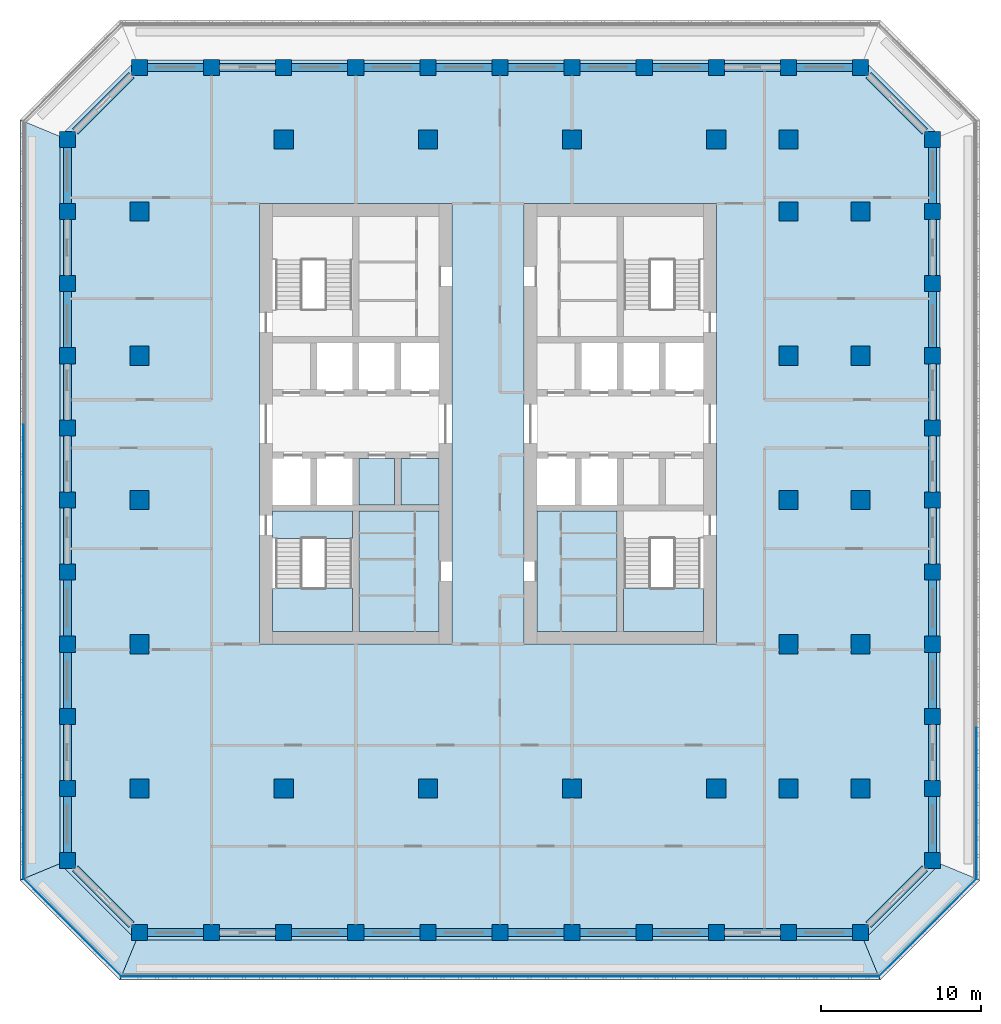
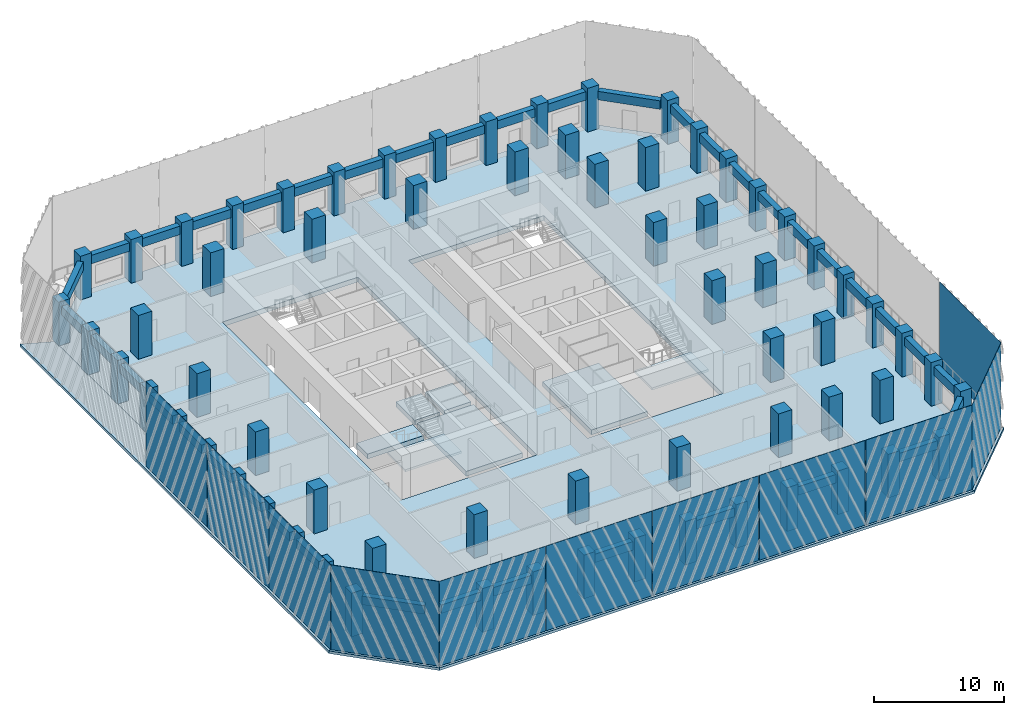
# One storey, part 1 of 17: 68 columns, 44 beams, 12 slabs, 11 plates, 2 elements without a shape of their own.
"""IFC4 building model written with IfcOpenShell, lengths in metres."""

import ifcopenshell
import ifcopenshell.guid

model = None  # the IFC model being written
_history = None  # IfcOwnerHistory: only IFC2X3 demands one
_inside = {}  # id of a spatial element -> (the spatial element, [elements in it])
_under = {}  # id of a project, library or spatial element -> (it, [spatial elements below it])
_declared = {}  # id of a project -> (the project, [libraries it declares])
_typed = {}  # id of a type object -> (the type object, [elements of that type])
_made_of = {}  # id of a material, layer set ... -> (it, [elements and type objects made of it])


def new_model(schema):
    """Start an empty IFC model of exactly this schema.

    Asked for "IFC4X3", IfcOpenShell would pick the latest addendum, in which some entities
    have other attributes; the version numbers below select the first issue.
    IFC2X3 requires an IfcOwnerHistory on every rooted entity: one is made here for all.
    """
    global model, _history
    if schema == "IFC4X3":
        model = ifcopenshell.file(schema_version=(4, 3, 0, 0))
    else:
        model = ifcopenshell.file(schema=schema)
    _inside.clear()
    _under.clear()
    _declared.clear()
    _typed.clear()
    _made_of.clear()
    _history = None
    if model.schema == "IFC2X3":
        org = make("IfcOrganization", Name="unknown")
        user = make(
            "IfcPersonAndOrganization",
            ThePerson=make("IfcPerson", FamilyName="unknown"),
            TheOrganization=org,
        )
        app = make(
            "IfcApplication",
            ApplicationDeveloper=org,
            Version="unknown",
            ApplicationFullName="unknown",
            ApplicationIdentifier="unknown",
        )
        _history = make(
            "IfcOwnerHistory",
            OwningUser=user,
            OwningApplication=app,
            ChangeAction="ADDED",
            CreationDate=0,
        )
    return model


def make(cls, **values):
    """One entity of the class cls with the attributes given. An attribute that is None is left unset."""
    return model.create_entity(
        cls, **{name: value for name, value in values.items() if value is not None}
    )


def rooted(cls, **values):
    """An entity with a GlobalId (a new one), such as an element, a storey or a relation."""
    return make(cls, GlobalId=ifcopenshell.guid.new(), OwnerHistory=_history, **values)


def si_unit(unit_type, name, prefix=None):
    """IfcSIUnit, for example si_unit("LENGTHUNIT", "METRE", prefix="MILLI")."""
    return make("IfcSIUnit", UnitType=unit_type, Prefix=prefix, Name=name)


def assignment(units):
    """IfcUnitAssignment: the units of a project."""
    return None if units is None else make("IfcUnitAssignment", Units=units)


def point(xyz):
    """IfcCartesianPoint."""
    return None if xyz is None else make("IfcCartesianPoint", Coordinates=xyz)


def direction(xyz):
    """IfcDirection."""
    return None if xyz is None else make("IfcDirection", DirectionRatios=xyz)


def frame(location, z_axis=None, x_axis=None):
    """IfcAxis2Placement3D, a coordinate frame: its origin and axes. An axis left out is left unset."""
    return make(
        "IfcAxis2Placement3D",
        Location=point(location),
        Axis=direction(z_axis),
        RefDirection=direction(x_axis),
    )


def frame_2d(location, x_axis=None):
    """IfcAxis2Placement2D, a coordinate frame in the plane: its origin and x axis."""
    return make(
        "IfcAxis2Placement2D", Location=point(location), RefDirection=direction(x_axis)
    )


def origin():
    """The frame at (0, 0, 0) with its axes left unset."""
    return frame((0.0, 0.0, 0.0))


def origin_2d():
    """The frame at (0, 0) in the plane with its x axis left unset."""
    return frame_2d((0.0, 0.0))


def place(relative_to, where):
    """IfcLocalPlacement: puts the frame where relative to a parent placement (None: the world)."""
    return make(
        "IfcLocalPlacement", PlacementRelTo=relative_to, RelativePlacement=where
    )


def context(
    kind, dimensions, precision=None, world=None, true_north=None, identifier=None
):
    """IfcGeometricRepresentationContext, for example the 3D "Model" context."""
    return make(
        "IfcGeometricRepresentationContext",
        ContextIdentifier=identifier,
        ContextType=kind,
        CoordinateSpaceDimension=dimensions,
        Precision=precision,
        WorldCoordinateSystem=world,
        TrueNorth=true_north,
    )


def subcontext(parent, identifier, kind, view, scale=None):
    """IfcGeometricRepresentationSubContext, for example "Body" below "Model"."""
    return make(
        "IfcGeometricRepresentationSubContext",
        ContextIdentifier=identifier,
        ContextType=kind,
        ParentContext=parent,
        TargetScale=scale,
        TargetView=view,
    )


def project(units=None, contexts=None):
    """IfcProject with its units and contexts."""
    return rooted(
        "IfcProject",
        Name="project",
        RepresentationContexts=contexts,
        UnitsInContext=assignment(units),
    )


def spatial(cls, under=None, at=None, **own):
    """A site, building, storey or space (cls), placed at a placement, below another one or the project."""
    s = rooted(cls, ObjectPlacement=at, **own)
    if under is not None:
        _under.setdefault(under.id(), (under, []))[1].append(s)
    return s


def polyline(points):
    """IfcPolyline through the points."""
    return make("IfcPolyline", Points=[point(p) for p in points])


def profile(cls, at=None, kind="AREA", **sizes):
    """A parametric profile (cls). Its sizes go by their IFC names, for example OverallWidth=200.0."""
    return make(cls, ProfileType=kind, Position=at, **sizes)


def rectangle(**sizes):
    """IfcRectangleProfileDef."""
    return profile("IfcRectangleProfileDef", **sizes)


def outline(outer, holes=None, kind="AREA"):
    """IfcArbitraryClosedProfileDef: a profile drawn as a closed curve; with holes, ...WithVoids."""
    if holes is None:
        return make("IfcArbitraryClosedProfileDef", ProfileType=kind, OuterCurve=outer)
    return make(
        "IfcArbitraryProfileDefWithVoids",
        ProfileType=kind,
        OuterCurve=outer,
        InnerCurves=holes,
    )


def extrude(swept, where, along, depth):
    """IfcExtrudedAreaSolid: the profile swept, set in the frame where, extruded along a direction by depth."""
    return make(
        "IfcExtrudedAreaSolid",
        SweptArea=swept,
        Position=where,
        ExtrudedDirection=direction(along),
        Depth=depth,
    )


def shape(context_of_items, identifier, shape_type, items):
    """IfcShapeRepresentation: the items that make up one representation, for example the "Body"."""
    return make(
        "IfcShapeRepresentation",
        ContextOfItems=context_of_items,
        RepresentationIdentifier=identifier,
        RepresentationType=shape_type,
        Items=items,
    )


def material(Name=None, Category=None):
    """IfcMaterial."""
    return make("IfcMaterial", Name=Name, Category=Category)


def layer(
    of_material, thickness, ventilated=None, Name=None, Category=None, Priority=None
):
    """IfcMaterialLayer: one layer of a wall or slab, of a material (None: an air gap)."""
    return make(
        "IfcMaterialLayer",
        Material=of_material,
        LayerThickness=thickness,
        IsVentilated=ventilated,
        Name=Name,
        Category=Category,
        Priority=Priority,
    )


def layer_set(layers, Name=None):
    """IfcMaterialLayerSet."""
    return make("IfcMaterialLayerSet", MaterialLayers=layers, LayerSetName=Name)


def material_profile(
    of_material, cross_section, Name=None, Category=None, Priority=None
):
    """IfcMaterialProfile: a cross section and its material."""
    return make(
        "IfcMaterialProfile",
        Name=Name,
        Material=of_material,
        Profile=cross_section,
        Priority=Priority,
        Category=Category,
    )


def profile_set(profiles, Name=None, composite=None):
    """IfcMaterialProfileSet."""
    return make(
        "IfcMaterialProfileSet",
        Name=Name,
        MaterialProfiles=profiles,
        CompositeProfile=composite,
    )


def made_of(thing, what):
    """Note that an element or type object is made of a material, layer set ...; save() writes the relation."""
    if what is not None:
        _made_of.setdefault(what.id(), (what, []))[1].append(thing)
    return thing


def type_object(cls, material=None, **own):
    """A type object (cls), such as IfcWallType, which elements share."""
    return made_of(rooted(cls, **own), material)


def element(
    cls,
    number,
    at=None,
    inside=None,
    cuts=None,
    type_object=None,
    material=None,
    context=None,
    identifier="Body",
    shape_type=None,
    held_by="IfcProductDefinitionShape",
    body=None,
    shapes=None,
    **own,
):
    """One element of the class cls, such as IfcWall. Its Tag is "e" and its number.

    at: its placement. inside: the storey or other place that contains it. cuts: it is an
    opening in that element (IfcRelVoidsElement). A single representation is given by context,
    identifier, shape_type and body (its items); several are given by shapes. held_by: the class
    of the entity that holds the representations. save() writes the other relations.
    """
    e = rooted(cls, Tag="e%d" % number, ObjectPlacement=at, **own)
    if body is not None:
        shapes = [shape(context, identifier, shape_type, body)]
    if shapes is not None:
        e.Representation = make(held_by, Representations=shapes)
    if inside is not None:
        _inside.setdefault(inside.id(), (inside, []))[1].append(e)
    if cuts is not None:
        rooted(
            "IfcRelVoidsElement", RelatingBuildingElement=cuts, RelatedOpeningElement=e
        )
    if type_object is not None:
        _typed.setdefault(type_object.id(), (type_object, []))[1].append(e)
    return made_of(e, material)


def aggregate(whole, parts):
    """IfcRelAggregates: a whole, such as a stair, and the parts it consists of."""
    return rooted("IfcRelAggregates", RelatingObject=whole, RelatedObjects=parts)


def save(model, path):
    """Write the relations noted so far, then the file.

    IfcRelAggregates (storeys below a building ...), IfcRelContainedInSpatialStructure (elements
    in a storey), IfcRelDefinesByType, IfcRelAssociatesMaterial and IfcRelDeclares: one each for
    every whole, place, type object, material and project.
    """
    for whole, parts in _under.values():
        aggregate(whole, parts)
    for where, things in _inside.values():
        rooted(
            "IfcRelContainedInSpatialStructure",
            RelatedElements=things,
            RelatingStructure=where,
        )
    for kind, things in _typed.values():
        rooted("IfcRelDefinesByType", RelatedObjects=things, RelatingType=kind)
    for what, things in _made_of.values():
        rooted("IfcRelAssociatesMaterial", RelatedObjects=things, RelatingMaterial=what)
    for by, libraries in _declared.values():
        rooted("IfcRelDeclares", RelatingContext=by, RelatedDefinitions=libraries)
    model.write(path)


model = new_model("IFC4")

# Units and contexts
model_context = context("Model", 3, precision=1e-05, world=origin(), true_north=direction((0.0, 1.0)))
body_context = subcontext(model_context, "Body", "Model", "MODEL_VIEW")
ifc_project = project(units=[si_unit("LENGTHUNIT", "METRE"), si_unit("AREAUNIT", "SQUARE_METRE"), si_unit("VOLUMEUNIT", "CUBIC_METRE"), si_unit("PLANEANGLEUNIT", "RADIAN"), si_unit("MASSUNIT", "GRAM", prefix="KILO")], contexts=[model_context])

# Site, building, storey
site_placement = place(None, origin())
site = spatial("IfcSite", under=ifc_project, at=site_placement, CompositionType="ELEMENT")
building_placement = place(site_placement, origin())
building = spatial("IfcBuilding", under=site, at=building_placement, Name="Corbel Stack Research Tower", CompositionType="ELEMENT")
storey_placement = place(building_placement, frame((0.0, 0.0, 207.89990234375)))
storey = spatial("IfcBuildingStorey", under=building, at=storey_placement, Name="L47", CompositionType="ELEMENT", Elevation=207.89990234375)

# Columns
ifc_material_1 = material(Name="Concrete C60/75", Category="concrete")
ifc_material_profile_1 = material_profile(ifc_material_1, rectangle(XDim=1.0, YDim=1.0, at=origin_2d()), Name="RC 1000 x 1000")
ifc_profile_set_1 = profile_set([ifc_material_profile_1], Name="Concrete C60/75")
column_type_1 = type_object("IfcColumnType", Name="C-1000-60", PredefinedType="COLUMN", material=ifc_profile_set_1)
for number, where, z_axis, x_axis, name in (
    (1, (-22.5, -22.5, 0.0), (0.0, 0.0, 1.0), (1.0, 0.0, 0.0), "Column 3/C L47"),
    (2, (-22.5, -18.0, 0.0), (0.0, 0.0, 1.0), (1.0, 0.0, 0.0), "Column 3/D L47"),
    (3, (-22.5, -13.5, 0.0), (0.0, 0.0, 1.0), (1.0, 0.0, 0.0), "Column 3/E L47"),
    (4, (-22.5, -9.0, 0.0), (0.0, 0.0, 1.0), (1.0, 0.0, 0.0), "Column 3/F L47"),
    (5, (-22.5, -4.5, 0.0), (0.0, 0.0, 1.0), (1.0, 0.0, 0.0), "Column 3/G L47"),
    (6, (-22.5, 0.0, 0.0), (0.0, 0.0, 1.0), (1.0, 0.0, 0.0), "Column 3/H L47"),
    (7, (-22.5, 4.5, 0.0), (0.0, 0.0, 1.0), (1.0, 0.0, 0.0), "Column 3/J L47"),
    (8, (-22.5, 9.0, 0.0), (0.0, 0.0, 1.0), (1.0, 0.0, 0.0), "Column 3/K L47"),
    (9, (-22.5, 13.5, 0.0), (0.0, 0.0, 1.0), (1.0, 0.0, 0.0), "Column 3/L L47"),
    (10, (-22.5, 18.0, 0.0), (0.0, 0.0, 1.0), (1.0, 0.0, 0.0), "Column 3/M L47"),
    (11, (-22.5, 22.5, 0.0), (0.0, 0.0, 1.0), (1.0, 0.0, 0.0), "Column 3/N L47"),
    (12, (-18.0, -27.0, 0.0), (0.0, 0.0, 1.0), (1.0, 0.0, 0.0), "Column 4/B L47"),
    (13, (-18.0, 27.0, 0.0), (0.0, 0.0, 1.0), (1.0, 0.0, 0.0), "Column 4/P L47"),
    (14, (-13.5, -27.0, 0.0), (0.0, 0.0, 1.0), (1.0, 0.0, 0.0), "Column 5/B L47"),
    (15, (-13.5, 27.0, 0.0), (0.0, 0.0, 1.0), (1.0, 0.0, 0.0), "Column 5/P L47"),
    (16, (-9.0, -27.0, 0.0), (0.0, 0.0, 1.0), (1.0, 0.0, 0.0), "Column 6/B L47"),
    (17, (-9.0, 27.0, 0.0), (0.0, 0.0, 1.0), (1.0, 0.0, 0.0), "Column 6/P L47"),
    (18, (-4.5, -27.0, 0.0), (0.0, 0.0, 1.0), (1.0, 0.0, 0.0), "Column 7/B L47"),
    (19, (-4.5, 27.0, 0.0), (0.0, 0.0, 1.0), (1.0, 0.0, 0.0), "Column 7/P L47"),
    (20, (0.0, -27.0, 0.0), (0.0, 0.0, 1.0), (1.0, 0.0, 0.0), "Column 8/B L47"),
    (21, (0.0, 27.0, 0.0), (0.0, 0.0, 1.0), (1.0, 0.0, 0.0), "Column 8/P L47"),
    (22, (4.5, -27.0, 0.0), (0.0, 0.0, 1.0), (1.0, 0.0, 0.0), "Column 9/B L47"),
    (23, (4.5, 27.0, 0.0), (0.0, 0.0, 1.0), (1.0, 0.0, 0.0), "Column 9/P L47"),
    (24, (9.0, -27.0, 0.0), (0.0, 0.0, 1.0), (1.0, 0.0, 0.0), "Column 10/B L47"),
    (25, (9.0, 27.0, 0.0), (0.0, 0.0, 1.0), (1.0, 0.0, 0.0), "Column 10/P L47"),
    (26, (13.5, -27.0, 0.0), (0.0, 0.0, 1.0), (1.0, 0.0, 0.0), "Column 11/B L47"),
    (27, (13.5, 27.0, 0.0), (0.0, 0.0, 1.0), (1.0, 0.0, 0.0), "Column 11/P L47"),
    (28, (18.0, -27.0, 0.0), (0.0, 0.0, 1.0), (1.0, 0.0, 0.0), "Column 12/B L47"),
    (29, (18.0, 27.0, 0.0), (0.0, 0.0, 1.0), (1.0, 0.0, 0.0), "Column 12/P L47"),
    (30, (22.5, -27.0, 0.0), (0.0, 0.0, 1.0), (1.0, 0.0, 0.0), "Column 13/B L47"),
    (31, (22.5, 27.0, 0.0), (0.0, 0.0, 1.0), (1.0, 0.0, 0.0), "Column 13/P L47"),
    (32, (27.0, -27.0, 0.0), (0.0, 0.0, 1.0), (1.0, 0.0, 0.0), "Column 14/B L47"),
    (33, (27.0, 27.0, 0.0), (0.0, 0.0, 1.0), (1.0, 0.0, 0.0), "Column 14/P L47"),
    (34, (31.5, -22.5, 0.0), (0.0, 0.0, 1.0), (1.0, 0.0, 0.0), "Column 15/C L47"),
    (35, (31.5, -18.0, 0.0), (0.0, 0.0, 1.0), (1.0, 0.0, 0.0), "Column 15/D L47"),
    (36, (31.5, -13.5, 0.0), (0.0, 0.0, 1.0), (1.0, 0.0, 0.0), "Column 15/E L47"),
    (37, (31.5, -9.0, 0.0), (0.0, 0.0, 1.0), (1.0, 0.0, 0.0), "Column 15/F L47"),
    (38, (31.5, -4.5, 0.0), (0.0, 0.0, 1.0), (1.0, 0.0, 0.0), "Column 15/G L47"),
    (39, (31.5, 0.0, 0.0), (0.0, 0.0, 1.0), (1.0, 0.0, 0.0), "Column 15/H L47"),
    (40, (31.5, 4.5, 0.0), (0.0, 0.0, 1.0), (1.0, 0.0, 0.0), "Column 15/J L47"),
    (41, (31.5, 9.0, 0.0), (0.0, 0.0, 1.0), (1.0, 0.0, 0.0), "Column 15/K L47"),
    (42, (31.5, 13.5, 0.0), (0.0, 0.0, 1.0), (1.0, 0.0, 0.0), "Column 15/L L47"),
    (43, (31.5, 18.0, 0.0), (0.0, 0.0, 1.0), (1.0, 0.0, 0.0), "Column 15/M L47"),
    (44, (31.5, 22.5, 0.0), (0.0, 0.0, 1.0), (1.0, 0.0, 0.0), "Column 15/N L47"),
):
    element("IfcColumn", number, at=place(storey_placement, frame(where, z_axis=z_axis, x_axis=x_axis)), inside=storey, type_object=column_type_1, Name=name, PredefinedType="COLUMN", context=body_context, shape_type="SweptSolid", body=[
        extrude(rectangle(XDim=1.0, YDim=1.0, at=origin_2d()), origin(), (0.0, 0.0, 1.0), 4.10009765625),
    ])
ifc_material_2 = material(Name="Concrete C60/75", Category="concrete")
ifc_material_profile_2 = material_profile(ifc_material_2, rectangle(XDim=1.199951171875, YDim=1.199951171875, at=origin_2d()), Name="RC 1200 x 1200")
ifc_profile_set_2 = profile_set([ifc_material_profile_2], Name="Concrete C60/75")
column_type_2 = type_object("IfcColumnType", Name="C-1200-60", PredefinedType="COLUMN", material=ifc_profile_set_2)
for number, where, z_axis, x_axis, name in (
    (45, (-18.0, -18.0, 0.0), (0.0, 0.0, 1.0), (1.0, 0.0, 0.0), "Column 4/D L47"),
    (46, (-18.0, -9.0, 0.0), (0.0, 0.0, 1.0), (1.0, 0.0, 0.0), "Column 4/F L47"),
    (47, (-18.0, 0.0, 0.0), (0.0, 0.0, 1.0), (1.0, 0.0, 0.0), "Column 4/H L47"),
    (48, (-18.0, 9.0, 0.0), (0.0, 0.0, 1.0), (1.0, 0.0, 0.0), "Column 4/K L47"),
    (49, (-18.0, 18.0, 0.0), (0.0, 0.0, 1.0), (1.0, 0.0, 0.0), "Column 4/M L47"),
    (50, (-9.0, -18.0, 0.0), (0.0, 0.0, 1.0), (1.0, 0.0, 0.0), "Column 6/D L47"),
    (51, (-9.0, 22.5, 0.0), (0.0, 0.0, 1.0), (1.0, 0.0, 0.0), "Column 6/N L47"),
    (52, (0.0, -18.0, 0.0), (0.0, 0.0, 1.0), (1.0, 0.0, 0.0), "Column 8/D L47"),
    (53, (0.0, 22.5, 0.0), (0.0, 0.0, 1.0), (1.0, 0.0, 0.0), "Column 8/N L47"),
    (54, (9.0, -18.0, 0.0), (0.0, 0.0, 1.0), (1.0, 0.0, 0.0), "Column 10/D L47"),
    (55, (9.0, 22.5, 0.0), (0.0, 0.0, 1.0), (1.0, 0.0, 0.0), "Column 10/N L47"),
    (56, (18.0, -18.0, 0.0), (0.0, 0.0, 1.0), (1.0, 0.0, 0.0), "Column 12/D L47"),
    (57, (18.0, 22.5, 0.0), (0.0, 0.0, 1.0), (1.0, 0.0, 0.0), "Column 12/N L47"),
    (58, (22.5, -18.0, 0.0), (0.0, 0.0, 1.0), (1.0, 0.0, 0.0), "Column 13/D L47"),
    (59, (22.5, -9.0, 0.0), (0.0, 0.0, 1.0), (1.0, 0.0, 0.0), "Column 13/F L47"),
    (60, (22.5, 0.0, 0.0), (0.0, 0.0, 1.0), (1.0, 0.0, 0.0), "Column 13/H L47"),
    (61, (22.5, 9.0, 0.0), (0.0, 0.0, 1.0), (1.0, 0.0, 0.0), "Column 13/K L47"),
    (62, (22.5, 18.0, 0.0), (0.0, 0.0, 1.0), (1.0, 0.0, 0.0), "Column 13/M L47"),
    (63, (22.5, 22.5, 0.0), (0.0, 0.0, 1.0), (1.0, 0.0, 0.0), "Column 13/N L47"),
    (64, (27.0, -18.0, 0.0), (0.0, 0.0, 1.0), (1.0, 0.0, 0.0), "Column 14/D L47"),
    (65, (27.0, -9.0, 0.0), (0.0, 0.0, 1.0), (1.0, 0.0, 0.0), "Column 14/F L47"),
    (66, (27.0, 0.0, 0.0), (0.0, 0.0, 1.0), (1.0, 0.0, 0.0), "Column 14/H L47"),
    (67, (27.0, 9.0, 0.0), (0.0, 0.0, 1.0), (1.0, 0.0, 0.0), "Column 14/K L47"),
    (68, (27.0, 18.0, 0.0), (0.0, 0.0, 1.0), (1.0, 0.0, 0.0), "Column 14/M L47"),
):
    element("IfcColumn", number, at=place(storey_placement, frame(where, z_axis=z_axis, x_axis=x_axis)), inside=storey, type_object=column_type_2, Name=name, PredefinedType="COLUMN", context=body_context, shape_type="SweptSolid", body=[
        extrude(rectangle(XDim=1.199951171875, YDim=1.199951171875, at=origin_2d()), origin(), (0.0, 0.0, 1.0), 4.10009765625),
    ])

# Beams
ifc_material_3 = material(Name="Concrete C60/75", Category="concrete")
ifc_material_profile_3 = material_profile(ifc_material_3, rectangle(XDim=0.5, YDim=0.800048828125, at=origin_2d()), Name="RC 500 x 800")
ifc_profile_set_3 = profile_set([ifc_material_profile_3], Name="Concrete C60/75")
beam_type = type_object("IfcBeamType", Name="SB-500-800-450", PredefinedType="SPANDREL", material=ifc_profile_set_3)
for number, where, z_axis, x_axis, name in (
    (69, (-17.5, -27.0, 3.25), (1.0, 0.0, 0.0), (0.0, 1.0, 0.0), "Spandrel beam L47-01"),
    (70, (-13.0, -27.0, 3.25), (1.0, 0.0, 0.0), (0.0, 1.0, 0.0), "Spandrel beam L47-02"),
    (71, (-8.5, -27.0, 3.25), (1.0, 0.0, 0.0), (0.0, 1.0, 0.0), "Spandrel beam L47-03"),
    (72, (-4.0, -27.0, 3.25), (1.0, 0.0, 0.0), (0.0, 1.0, 0.0), "Spandrel beam L47-04"),
    (73, (0.5, -27.0, 3.25), (1.0, 0.0, 0.0), (0.0, 1.0, 0.0), "Spandrel beam L47-05"),
    (74, (5.0, -27.0, 3.25), (1.0, 0.0, 0.0), (0.0, 1.0, 0.0), "Spandrel beam L47-06"),
    (75, (9.5, -27.0, 3.25), (1.0, 0.0, 0.0), (0.0, 1.0, 0.0), "Spandrel beam L47-07"),
    (76, (14.0, -27.0, 3.25), (1.0, 0.0, 0.0), (0.0, 1.0, 0.0), "Spandrel beam L47-08"),
    (77, (18.5, -27.0, 3.25), (1.0, 0.0, 0.0), (0.0, 1.0, 0.0), "Spandrel beam L47-09"),
    (78, (23.0, -27.0, 3.25), (1.0, 0.0, 0.0), (0.0, 1.0, 0.0), "Spandrel beam L47-10"),
):
    element("IfcBeam", number, at=place(storey_placement, frame(where, z_axis=z_axis, x_axis=x_axis)), inside=storey, type_object=beam_type, Name=name, PredefinedType="SPANDREL", context=body_context, shape_type="SweptSolid", body=[
        extrude(rectangle(XDim=0.5, YDim=0.800048828125, at=origin_2d()), origin(), (0.0, 0.0, 1.0), 3.5),
    ])
beam_1_placement = place(storey_placement, frame((27.5, -26.5, 3.25), z_axis=(0.707106781187, 0.707106781187, 0.0), x_axis=(-0.707106781187, 0.707106781187, 0.0)))
element("IfcBeam", 79, at=beam_1_placement, inside=storey, type_object=beam_type, Name="Spandrel beam L47-11", PredefinedType="SPANDREL", context=body_context, shape_type="SweptSolid", body=[
    extrude(rectangle(XDim=0.5, YDim=0.800048828125, at=origin_2d()), origin(), (0.0, 0.0, 1.0), 4.94970703125),
])
for number, where, z_axis, x_axis, name in (
    (80, (31.5, -22.0, 3.25), (0.0, 1.0, 0.0), (-1.0, 0.0, 0.0), "Spandrel beam L47-12"),
    (81, (31.5, -17.5, 3.25), (0.0, 1.0, 0.0), (-1.0, 0.0, 0.0), "Spandrel beam L47-13"),
    (82, (31.5, -13.0, 3.25), (0.0, 1.0, 0.0), (-1.0, 0.0, 0.0), "Spandrel beam L47-14"),
    (83, (31.5, -8.5, 3.25), (0.0, 1.0, 0.0), (-1.0, 0.0, 0.0), "Spandrel beam L47-15"),
    (84, (31.5, -4.0, 3.25), (0.0, 1.0, 0.0), (-1.0, 0.0, 0.0), "Spandrel beam L47-16"),
    (85, (31.5, 0.5, 3.25), (0.0, 1.0, 0.0), (-1.0, 0.0, 0.0), "Spandrel beam L47-17"),
    (86, (31.5, 5.0, 3.25), (0.0, 1.0, 0.0), (-1.0, 0.0, 0.0), "Spandrel beam L47-18"),
    (87, (31.5, 9.5, 3.25), (0.0, 1.0, 0.0), (-1.0, 0.0, 0.0), "Spandrel beam L47-19"),
    (88, (31.5, 14.0, 3.25), (0.0, 1.0, 0.0), (-1.0, 0.0, 0.0), "Spandrel beam L47-20"),
    (89, (31.5, 18.5, 3.25), (0.0, 1.0, 0.0), (-1.0, 0.0, 0.0), "Spandrel beam L47-21"),
):
    element("IfcBeam", number, at=place(storey_placement, frame(where, z_axis=z_axis, x_axis=x_axis)), inside=storey, type_object=beam_type, Name=name, PredefinedType="SPANDREL", context=body_context, shape_type="SweptSolid", body=[
        extrude(rectangle(XDim=0.5, YDim=0.800048828125, at=origin_2d()), origin(), (0.0, 0.0, 1.0), 3.5),
    ])
beam_2_placement = place(storey_placement, frame((31.0, 23.0, 3.25), z_axis=(-0.707106781187, 0.707106781187, 0.0), x_axis=(-0.707106781187, -0.707106781187, 0.0)))
element("IfcBeam", 90, at=beam_2_placement, inside=storey, type_object=beam_type, Name="Spandrel beam L47-22", PredefinedType="SPANDREL", context=body_context, shape_type="SweptSolid", body=[
    extrude(rectangle(XDim=0.5, YDim=0.800048828125, at=origin_2d()), origin(), (0.0, 0.0, 1.0), 4.94970703125),
])
for number, where, z_axis, x_axis, name in (
    (91, (26.5, 27.0, 3.25), (-1.0, 0.0, 0.0), (0.0, -1.0, 0.0), "Spandrel beam L47-23"),
    (92, (22.0, 27.0, 3.25), (-1.0, 0.0, 0.0), (0.0, -1.0, 0.0), "Spandrel beam L47-24"),
    (93, (17.5, 27.0, 3.25), (-1.0, 0.0, 0.0), (0.0, -1.0, 0.0), "Spandrel beam L47-25"),
    (94, (13.0, 27.0, 3.25), (-1.0, 0.0, 0.0), (0.0, -1.0, 0.0), "Spandrel beam L47-26"),
    (95, (8.5, 27.0, 3.25), (-1.0, 0.0, 0.0), (0.0, -1.0, 0.0), "Spandrel beam L47-27"),
    (96, (4.0, 27.0, 3.25), (-1.0, 0.0, 0.0), (0.0, -1.0, 0.0), "Spandrel beam L47-28"),
    (97, (-0.5, 27.0, 3.25), (-1.0, 0.0, 0.0), (0.0, -1.0, 0.0), "Spandrel beam L47-29"),
    (98, (-5.0, 27.0, 3.25), (-1.0, 0.0, 0.0), (0.0, -1.0, 0.0), "Spandrel beam L47-30"),
    (99, (-9.5, 27.0, 3.25), (-1.0, 0.0, 0.0), (0.0, -1.0, 0.0), "Spandrel beam L47-31"),
    (100, (-14.0, 27.0, 3.25), (-1.0, 0.0, 0.0), (0.0, -1.0, 0.0), "Spandrel beam L47-32"),
):
    element("IfcBeam", number, at=place(storey_placement, frame(where, z_axis=z_axis, x_axis=x_axis)), inside=storey, type_object=beam_type, Name=name, PredefinedType="SPANDREL", context=body_context, shape_type="SweptSolid", body=[
        extrude(rectangle(XDim=0.5, YDim=0.800048828125, at=origin_2d()), origin(), (0.0, 0.0, 1.0), 3.5),
    ])
beam_3_placement = place(storey_placement, frame((-18.5, 26.5, 3.25), z_axis=(-0.707106781187, -0.707106781187, 0.0), x_axis=(0.707106781187, -0.707106781187, 0.0)))
element("IfcBeam", 101, at=beam_3_placement, inside=storey, type_object=beam_type, Name="Spandrel beam L47-33", PredefinedType="SPANDREL", context=body_context, shape_type="SweptSolid", body=[
    extrude(rectangle(XDim=0.5, YDim=0.800048828125, at=origin_2d()), origin(), (0.0, 0.0, 1.0), 4.94970703125),
])
for number, where, z_axis, x_axis, name in (
    (102, (-22.5, 22.0, 3.25), (0.0, -1.0, 0.0), (1.0, 0.0, 0.0), "Spandrel beam L47-34"),
    (103, (-22.5, 17.5, 3.25), (0.0, -1.0, 0.0), (1.0, 0.0, 0.0), "Spandrel beam L47-35"),
    (104, (-22.5, 13.0, 3.25), (0.0, -1.0, 0.0), (1.0, 0.0, 0.0), "Spandrel beam L47-36"),
    (105, (-22.5, 8.5, 3.25), (0.0, -1.0, 0.0), (1.0, 0.0, 0.0), "Spandrel beam L47-37"),
    (106, (-22.5, 4.0, 3.25), (0.0, -1.0, 0.0), (1.0, 0.0, 0.0), "Spandrel beam L47-38"),
    (107, (-22.5, -0.5, 3.25), (0.0, -1.0, 0.0), (1.0, 0.0, 0.0), "Spandrel beam L47-39"),
    (108, (-22.5, -5.0, 3.25), (0.0, -1.0, 0.0), (1.0, 0.0, 0.0), "Spandrel beam L47-40"),
    (109, (-22.5, -9.5, 3.25), (0.0, -1.0, 0.0), (1.0, 0.0, 0.0), "Spandrel beam L47-41"),
    (110, (-22.5, -14.0, 3.25), (0.0, -1.0, 0.0), (1.0, 0.0, 0.0), "Spandrel beam L47-42"),
    (111, (-22.5, -18.5, 3.25), (0.0, -1.0, 0.0), (1.0, 0.0, 0.0), "Spandrel beam L47-43"),
):
    element("IfcBeam", number, at=place(storey_placement, frame(where, z_axis=z_axis, x_axis=x_axis)), inside=storey, type_object=beam_type, Name=name, PredefinedType="SPANDREL", context=body_context, shape_type="SweptSolid", body=[
        extrude(rectangle(XDim=0.5, YDim=0.800048828125, at=origin_2d()), origin(), (0.0, 0.0, 1.0), 3.5),
    ])
beam_4_placement = place(storey_placement, frame((-22.0, -23.0, 3.25), z_axis=(0.707106781187, -0.707106781187, 0.0), x_axis=(0.707106781187, 0.707106781187, 0.0)))
element("IfcBeam", 112, at=beam_4_placement, inside=storey, type_object=beam_type, Name="Spandrel beam L47-44", PredefinedType="SPANDREL", context=body_context, shape_type="SweptSolid", body=[
    extrude(rectangle(XDim=0.5, YDim=0.800048828125, at=origin_2d()), origin(), (0.0, 0.0, 1.0), 4.94970703125),
])

# Plates
ifc_material_4 = material(Name="Fritted glass", Category="glass")
ifc_layer_1 = layer(ifc_material_4, 0.02490234375)
ifc_layer_set_1 = layer_set([ifc_layer_1], Name="Fritted glass")
plate_type = type_object("IfcPlateType", Name="Fritted glass panel 25", PredefinedType="SHEET", material=ifc_layer_set_1)
for number, where, z_axis, x_axis, name in (
    (113, (-14.411376953125, -29.737548828125, 0.0), (0.0, 0.0, 1.0), (1.0, 0.0, 0.0), "Fritted glass L47 S1"),
    (114, (-4.95556640625, -29.737548828125, 0.0), (0.0, 0.0, 1.0), (1.0, 0.0, 0.0), "Fritted glass L47 S2"),
    (115, (4.5, -29.737548828125, 0.0), (0.0, 0.0, 1.0), (1.0, 0.0, 0.0), "Fritted glass L47 S3"),
    (116, (13.95556640625, -29.737548828125, 0.0), (0.0, 0.0, 1.0), (1.0, 0.0, 0.0), "Fritted glass L47 S4"),
    (117, (23.411376953125, -29.737548828125, 0.0), (0.0, 0.0, 1.0), (1.0, 0.0, 0.0), "Fritted glass L47 S5"),
):
    element("IfcPlate", number, at=place(storey_placement, frame(where, z_axis=z_axis, x_axis=x_axis)), inside=storey, type_object=plate_type, Name=name, PredefinedType="SHEET", context=body_context, shape_type="SweptSolid", body=[
        extrude(rectangle(XDim=9.3955078125, YDim=0.02490234375, at=origin_2d()), origin(), (0.0, 0.0, 1.0), 7.949951171875),
    ])
plate_1_placement = place(storey_placement, frame((31.185791015625, -26.685791015625, 0.0), z_axis=(0.0, 0.0, 1.0), x_axis=(0.707106781187, 0.707106781187, 0.0)))
element("IfcPlate", 118, at=plate_1_placement, inside=storey, type_object=plate_type, Name="Fritted glass L47 SE1", PredefinedType="SHEET", context=body_context, shape_type="SweptSolid", body=[
    extrude(rectangle(XDim=8.58203125, YDim=0.02490234375, at=origin_2d()), origin(), (0.0, 0.0, 1.0), 7.949951171875),
])
for number, where, z_axis, x_axis, name in (
    (119, (34.237548828125, -18.911376953125, 0.0), (0.0, 0.0, 1.0), (0.0, 1.0, 0.0), "Fritted glass L47 E1"),
    (120, (-25.237548828125, 0.0, 0.0), (0.0, 0.0, 1.0), (0.0, -1.0, 0.0), "Fritted glass L47 W3"),
    (121, (-25.237548828125, -9.45556640625, 0.0), (0.0, 0.0, 1.0), (0.0, -1.0, 0.0), "Fritted glass L47 W4"),
    (122, (-25.237548828125, -18.911376953125, 0.0), (0.0, 0.0, 1.0), (0.0, -1.0, 0.0), "Fritted glass L47 W5"),
):
    element("IfcPlate", number, at=place(storey_placement, frame(where, z_axis=z_axis, x_axis=x_axis)), inside=storey, type_object=plate_type, Name=name, PredefinedType="SHEET", context=body_context, shape_type="SweptSolid", body=[
        extrude(rectangle(XDim=9.3955078125, YDim=0.02490234375, at=origin_2d()), origin(), (0.0, 0.0, 1.0), 7.949951171875),
    ])
plate_2_placement = place(storey_placement, frame((-22.185791015625, -26.685791015625, 0.0), z_axis=(0.0, 0.0, 1.0), x_axis=(0.707106781187, -0.707106781187, 0.0)))
element("IfcPlate", 123, at=plate_2_placement, inside=storey, type_object=plate_type, Name="Fritted glass L47 SW1", PredefinedType="SHEET", context=body_context, shape_type="SweptSolid", body=[
    extrude(rectangle(XDim=8.58203125, YDim=0.02490234375, at=origin_2d()), origin(), (0.0, 0.0, 1.0), 7.949951171875),
])

# Slabs
ifc_material_5 = material(Name="Concrete C45/55", Category="concrete")
ifc_layer_2 = layer(ifc_material_5, 0.25)
ifc_layer_set_2 = layer_set([ifc_layer_2], Name="Concrete C45/55")
slab_type_1 = type_object("IfcSlabType", Name="PT balcony slab 250 C45/55", PredefinedType="FLOOR", material=ifc_layer_set_2)
slab_1_placement = place(storey_placement, frame((0.0, 0.0, -0.25)))
element("IfcSlab", 124, at=slab_1_placement, inside=storey, type_object=slab_type_1, Name="Loggia slab L47 S", PredefinedType="FLOOR", context=body_context, shape_type="SweptSolid", body=[
    extrude(outline(polyline([(27.20703125, -27.5), (26.5, -27.5), (26.5, -27.449951171875), (23.0, -27.449951171875), (23.0, -27.5), (22.0, -27.5), (22.0, -27.449951171875), (18.5, -27.449951171875), (18.5, -27.5), (17.5, -27.5), (17.5, -27.449951171875), (14.0, -27.449951171875), (14.0, -27.5), (13.0, -27.5), (13.0, -27.449951171875), (9.5, -27.449951171875), (9.5, -27.5), (8.5, -27.5), (8.5, -27.449951171875), (5.0, -27.449951171875), (5.0, -27.5), (4.0, -27.5), (4.0, -27.449951171875), (0.5, -27.449951171875), (0.5, -27.5), (-0.5, -27.5), (-0.5, -27.449951171875), (-4.0, -27.449951171875), (-4.0, -27.5), (-5.0, -27.5), (-5.0, -27.449951171875), (-8.5, -27.449951171875), (-8.5, -27.5), (-9.5, -27.5), (-9.5, -27.449951171875), (-13.0, -27.449951171875), (-13.0, -27.5), (-14.0, -27.5), (-14.0, -27.449951171875), (-17.5, -27.449951171875), (-17.5, -27.5), (-18.20703125, -27.5), (-19.221923828125, -29.949951171875), (28.221923828125, -29.949951171875), (27.20703125, -27.5)])), origin(), (0.0, 0.0, 1.0), 0.25),
])
slab_2_placement = place(storey_placement, frame((0.0, 0.0, -0.25)))
element("IfcSlab", 125, at=slab_2_placement, inside=storey, type_object=slab_type_1, Name="Loggia slab L47 SE", PredefinedType="FLOOR", context=body_context, shape_type="SweptSolid", body=[
    extrude(outline(polyline([(32.0, -22.70703125), (32.0, -23.0), (31.636474609375, -23.0), (27.5, -27.136474609375), (27.5, -27.5), (27.20703125, -27.5), (28.221923828125, -29.949951171875), (34.449951171875, -23.721923828125), (32.0, -22.70703125)])), origin(), (0.0, 0.0, 1.0), 0.25),
])
slab_3_placement = place(storey_placement, frame((0.0, 0.0, -0.25)))
element("IfcSlab", 126, at=slab_3_placement, inside=storey, type_object=slab_type_1, Name="Loggia slab L47 W", PredefinedType="FLOOR", context=body_context, shape_type="SweptSolid", body=[
    extrude(outline(polyline([(-23.0, -22.70703125), (-23.0, -22.0), (-22.949951171875, -22.0), (-22.949951171875, -18.5), (-23.0, -18.5), (-23.0, -17.5), (-22.949951171875, -17.5), (-22.949951171875, -14.0), (-23.0, -14.0), (-23.0, -13.0), (-22.949951171875, -13.0), (-22.949951171875, -9.5), (-23.0, -9.5), (-23.0, -8.5), (-22.949951171875, -8.5), (-22.949951171875, -5.0), (-23.0, -5.0), (-23.0, -4.0), (-22.949951171875, -4.0), (-22.949951171875, -0.5), (-23.0, -0.5), (-23.0, 0.5), (-22.949951171875, 0.5), (-22.949951171875, 4.0), (-23.0, 4.0), (-23.0, 5.0), (-22.949951171875, 5.0), (-22.949951171875, 8.5), (-23.0, 8.5), (-23.0, 9.5), (-22.949951171875, 9.5), (-22.949951171875, 13.0), (-23.0, 13.0), (-23.0, 14.0), (-22.949951171875, 14.0), (-22.949951171875, 17.5), (-23.0, 17.5), (-23.0, 18.5), (-22.949951171875, 18.5), (-22.949951171875, 22.0), (-23.0, 22.0), (-23.0, 22.70703125), (-25.449951171875, 23.721923828125), (-25.449951171875, -23.721923828125), (-23.0, -22.70703125)])), origin(), (0.0, 0.0, 1.0), 0.25),
])
slab_4_placement = place(storey_placement, frame((0.0, 0.0, -0.25)))
element("IfcSlab", 127, at=slab_4_placement, inside=storey, type_object=slab_type_1, Name="Loggia slab L47 SW", PredefinedType="FLOOR", context=body_context, shape_type="SweptSolid", body=[
    extrude(outline(polyline([(-18.20703125, -27.5), (-18.5, -27.5), (-18.5, -27.136474609375), (-22.636474609375, -23.0), (-23.0, -23.0), (-23.0, -22.70703125), (-25.449951171875, -23.721923828125), (-19.221923828125, -29.949951171875), (-18.20703125, -27.5)])), origin(), (0.0, 0.0, 1.0), 0.25),
])
ifc_material_6 = material(Name="Concrete C45/55", Category="concrete")
ifc_layer_3 = layer(ifc_material_6, 0.449951171875)
ifc_layer_set_3 = layer_set([ifc_layer_3], Name="Concrete C45/55")
slab_type_2 = type_object("IfcSlabType", Name="PT-450", PredefinedType="FLOOR", material=ifc_layer_set_3)
slab_5_placement = place(storey_placement, frame((0.0, 0.0, -0.449951171875)))
element("IfcSlab", 128, at=slab_5_placement, inside=storey, type_object=slab_type_2, Name="Floor slab L47", PredefinedType="FLOOR", context=body_context, shape_type="SweptSolid", body=[
    extrude(outline(polyline([(-18.186279296875, -27.449951171875), (27.186279296875, -27.449951171875), (31.949951171875, -22.686279296875), (31.949951171875, 22.686279296875), (27.186279296875, 27.449951171875), (-18.186279296875, 27.449951171875), (-22.949951171875, 22.686279296875), (-22.949951171875, -22.686279296875), (-18.186279296875, -27.449951171875)]), holes=[polyline([(26.39990234375, 17.39990234375), (26.39990234375, 18.60009765625), (27.60009765625, 18.60009765625), (27.60009765625, 17.39990234375), (26.39990234375, 17.39990234375)]), polyline([(26.39990234375, 8.39990234375), (26.39990234375, 9.60009765625), (27.60009765625, 9.60009765625), (27.60009765625, 8.39990234375), (26.39990234375, 8.39990234375)]), polyline([(27.60009765625, -0.60009765625), (26.39990234375, -0.60009765625), (26.39990234375, 0.60009765625), (27.60009765625, 0.60009765625), (27.60009765625, -0.60009765625)]), polyline([(26.39990234375, -9.60009765625), (26.39990234375, -8.39990234375), (27.60009765625, -8.39990234375), (27.60009765625, -9.60009765625), (26.39990234375, -9.60009765625)]), polyline([(26.39990234375, -18.60009765625), (26.39990234375, -17.39990234375), (27.60009765625, -17.39990234375), (27.60009765625, -18.60009765625), (26.39990234375, -18.60009765625)]), polyline([(21.89990234375, 21.89990234375), (21.89990234375, 23.10009765625), (23.10009765625, 23.10009765625), (23.10009765625, 21.89990234375), (21.89990234375, 21.89990234375)]), polyline([(21.89990234375, 17.39990234375), (21.89990234375, 18.60009765625), (23.10009765625, 18.60009765625), (23.10009765625, 17.39990234375), (21.89990234375, 17.39990234375)]), polyline([(21.89990234375, 8.39990234375), (21.89990234375, 9.60009765625), (23.10009765625, 9.60009765625), (23.10009765625, 8.39990234375), (21.89990234375, 8.39990234375)]), polyline([(21.89990234375, -0.60009765625), (21.89990234375, 0.60009765625), (23.10009765625, 0.60009765625), (23.10009765625, -0.60009765625), (21.89990234375, -0.60009765625)]), polyline([(23.10009765625, -9.60009765625), (21.89990234375, -9.60009765625), (21.89990234375, -8.39990234375), (23.10009765625, -8.39990234375), (23.10009765625, -9.60009765625)]), polyline([(21.89990234375, -18.60009765625), (21.89990234375, -17.39990234375), (23.10009765625, -17.39990234375), (23.10009765625, -18.60009765625), (21.89990234375, -18.60009765625)]), polyline([(17.39990234375, 21.89990234375), (17.39990234375, 23.10009765625), (18.60009765625, 23.10009765625), (18.60009765625, 21.89990234375), (17.39990234375, 21.89990234375)]), polyline([(18.60009765625, -18.60009765625), (17.39990234375, -18.60009765625), (17.39990234375, -17.39990234375), (18.60009765625, -17.39990234375), (18.60009765625, -18.60009765625)]), polyline([(6.0, -9.0), (6.0, 18.5), (18.0, 18.5), (18.0, -9.0), (6.0, -9.0)]), polyline([(8.39990234375, 21.89990234375), (8.39990234375, 23.10009765625), (9.60009765625, 23.10009765625), (9.60009765625, 21.89990234375), (8.39990234375, 21.89990234375)]), polyline([(9.60009765625, -18.60009765625), (8.39990234375, -18.60009765625), (8.39990234375, -17.39990234375), (9.60009765625, -17.39990234375), (9.60009765625, -18.60009765625)]), polyline([(1.5, -9.0), (-10.5, -9.0), (-10.5, 18.5), (1.5, 18.5), (1.5, -9.0)]), polyline([(-0.60009765625, 21.89990234375), (-0.60009765625, 23.10009765625), (0.60009765625, 23.10009765625), (0.60009765625, 21.89990234375), (-0.60009765625, 21.89990234375)]), polyline([(-0.60009765625, -18.60009765625), (-0.60009765625, -17.39990234375), (0.60009765625, -17.39990234375), (0.60009765625, -18.60009765625), (-0.60009765625, -18.60009765625)]), polyline([(-9.60009765625, 21.89990234375), (-9.60009765625, 23.10009765625), (-8.39990234375, 23.10009765625), (-8.39990234375, 21.89990234375), (-9.60009765625, 21.89990234375)]), polyline([(-9.60009765625, -18.60009765625), (-9.60009765625, -17.39990234375), (-8.39990234375, -17.39990234375), (-8.39990234375, -18.60009765625), (-9.60009765625, -18.60009765625)]), polyline([(-18.60009765625, 17.39990234375), (-18.60009765625, 18.60009765625), (-17.39990234375, 18.60009765625), (-17.39990234375, 17.39990234375), (-18.60009765625, 17.39990234375)]), polyline([(-18.60009765625, 8.39990234375), (-18.60009765625, 9.60009765625), (-17.39990234375, 9.60009765625), (-17.39990234375, 8.39990234375), (-18.60009765625, 8.39990234375)]), polyline([(-18.60009765625, -0.60009765625), (-18.60009765625, 0.60009765625), (-17.39990234375, 0.60009765625), (-17.39990234375, -0.60009765625), (-18.60009765625, -0.60009765625)]), polyline([(-18.60009765625, -9.60009765625), (-18.60009765625, -8.39990234375), (-17.39990234375, -8.39990234375), (-17.39990234375, -9.60009765625), (-18.60009765625, -9.60009765625)]), polyline([(-17.39990234375, -18.60009765625), (-18.60009765625, -18.60009765625), (-18.60009765625, -17.39990234375), (-17.39990234375, -17.39990234375), (-17.39990234375, -18.60009765625)])]), origin(), (0.0, 0.0, 1.0), 0.449951171875),
])
slab_6_placement = place(storey_placement, frame((0.0, 0.0, -0.449951171875)))
element("IfcSlab", 129, at=slab_6_placement, inside=storey, type_object=slab_type_2, Name="West core floor L47", PredefinedType="FLOOR", context=body_context, shape_type="SweptSolid", body=[
    extrude(outline(polyline([(-4.300048828125, -0.699951171875), (-4.300048828125, -8.199951171875), (0.699951171875, -8.199951171875), (0.699951171875, -0.699951171875), (-4.300048828125, -0.699951171875)])), origin(), (0.0, 0.0, 1.0), 0.449951171875),
])
slab_7_placement = place(storey_placement, frame((0.0, 0.0, -0.449951171875)))
element("IfcSlab", 130, at=slab_7_placement, inside=storey, type_object=slab_type_2, Name="West core floor L47", PredefinedType="FLOOR", context=body_context, shape_type="SweptSolid", body=[
    extrude(outline(polyline([(-2.074951171875, -0.300048828125), (-2.074951171875, 2.60009765625), (-4.300048828125, 2.60009765625), (-4.300048828125, -0.300048828125), (-2.074951171875, -0.300048828125)])), origin(), (0.0, 0.0, 1.0), 0.449951171875),
])
slab_8_placement = place(storey_placement, frame((0.0, 0.0, -0.449951171875)))
element("IfcSlab", 131, at=slab_8_placement, inside=storey, type_object=slab_type_2, Name="West core floor L47", PredefinedType="FLOOR", context=body_context, shape_type="SweptSolid", body=[
    extrude(outline(polyline([(0.699951171875, -0.300048828125), (0.699951171875, 2.60009765625), (-1.675048828125, 2.60009765625), (-1.675048828125, -0.300048828125), (0.699951171875, -0.300048828125)])), origin(), (0.0, 0.0, 1.0), 0.449951171875),
])
slab_9_placement = place(storey_placement, frame((0.0, 0.0, -0.449951171875)))
element("IfcSlab", 132, at=slab_9_placement, inside=storey, type_object=slab_type_2, Name="East core floor L47", PredefinedType="FLOOR", context=body_context, shape_type="SweptSolid", body=[
    extrude(outline(polyline([(6.800048828125, -0.699951171875), (6.800048828125, -8.199951171875), (11.800048828125, -8.199951171875), (11.800048828125, -0.699951171875), (6.800048828125, -0.699951171875)])), origin(), (0.0, 0.0, 1.0), 0.449951171875),
])
slab_10_placement = place(storey_placement, frame((0.0, 0.0, -0.449951171875)))
element("IfcSlab", 133, at=slab_10_placement, inside=storey, type_object=slab_type_2, Name="Stair floor landing ST-W1", PredefinedType="FLOOR", context=body_context, shape_type="SweptSolid", body=[
    extrude(outline(polyline([(-9.699951171875, -2.39990234375), (-4.699951171875, -2.39990234375), (-4.699951171875, -0.699951171875), (-9.699951171875, -0.699951171875), (-9.699951171875, -2.39990234375)])), origin(), (0.0, 0.0, 1.0), 0.449951171875),
])

# Stair, slab
ifc_material_7 = material(Name="Concrete C40/50", Category="concrete")
stair_type = type_object("IfcStairType", Name="Exit stair 24 risers", PredefinedType="HALF_TURN_STAIR", material=ifc_material_7)
stair_1_placement = place(storey_placement, origin())
stair_1 = element("IfcStair", 134, at=stair_1_placement, inside=storey, type_object=stair_type, Name="L47 Exit stair ST-W1", PredefinedType="HALF_TURN_STAIR")
ifc_material_8 = material(Name="Concrete C40/50", Category="concrete")
ifc_layer_4 = layer(ifc_material_8, 0.199951171875)
ifc_layer_set_4 = layer_set([ifc_layer_4], Name="Concrete C40/50")
slab_type_3 = type_object("IfcSlabType", Name="Stair landing 200 C40/50", PredefinedType="LANDING", material=ifc_layer_set_4)
slab_11_placement = place(storey_placement, frame((0.0, 0.0, 1.85009765625)))
slab_11 = element("IfcSlab", 135, at=slab_11_placement, type_object=slab_type_3, Name="ST-W1 landing 1", PredefinedType="LANDING", context=body_context, shape_type="SweptSolid", body=[
    extrude(outline(polyline([(-9.699951171875, -8.199951171875), (-9.699951171875, -5.47998046875), (-4.699951171875, -5.47998046875), (-4.699951171875, -8.199951171875), (-9.699951171875, -8.199951171875)])), origin(), (0.0, 0.0, 1.0), 0.199951171875),
])
aggregate(stair_1, [slab_11])

stair_2_placement = place(storey_placement, origin())
stair_2 = element("IfcStair", 136, at=stair_2_placement, inside=storey, type_object=stair_type, Name="L47 Exit stair ST-E1", PredefinedType="HALF_TURN_STAIR")
slab_12_placement = place(storey_placement, frame((0.0, 0.0, 1.85009765625)))
slab_12 = element("IfcSlab", 137, at=slab_12_placement, type_object=slab_type_3, Name="ST-E1 landing 1", PredefinedType="LANDING", context=body_context, shape_type="SweptSolid", body=[
    extrude(outline(polyline([(12.199951171875, -8.199951171875), (12.199951171875, -5.47998046875), (17.199951171875, -5.47998046875), (17.199951171875, -8.199951171875), (12.199951171875, -8.199951171875)])), origin(), (0.0, 0.0, 1.0), 0.199951171875),
])
aggregate(stair_2, [slab_12])

save(model, "model.ifc")
